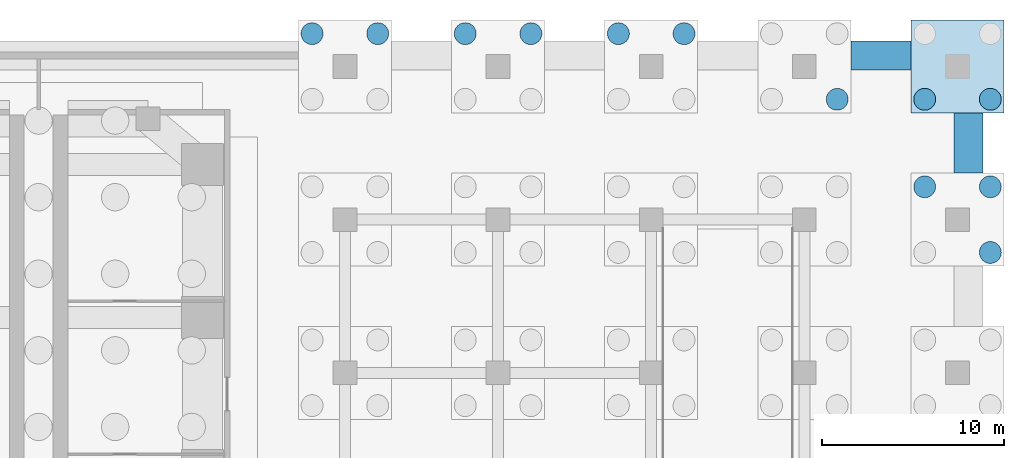
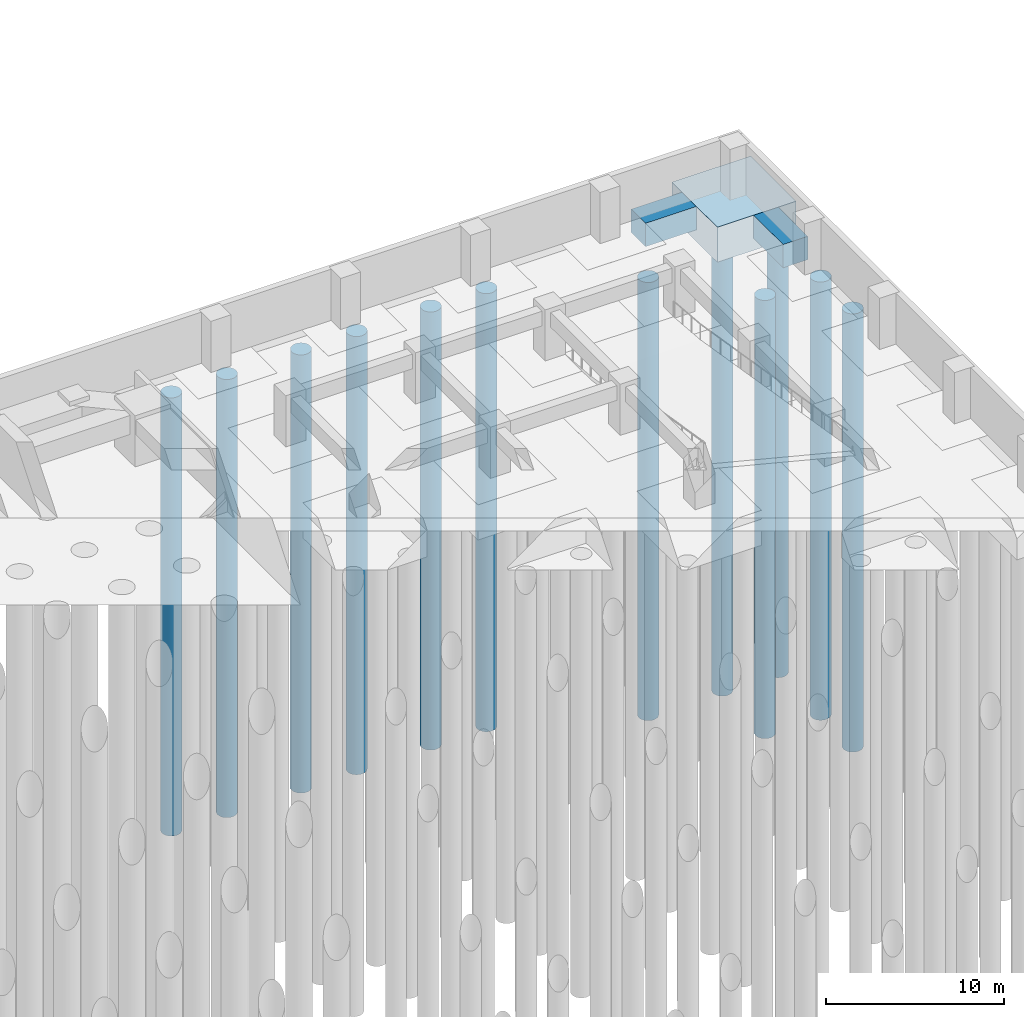
# One storey, part 47 of 73: 12 piles, 3 footings.
"""IFC4 building model written with IfcOpenShell, lengths in metres."""

from ifc_helpers import new_model, si_unit, direction, frame, origin, origin_2d, place, context, subcontext, project, spatial, polyline, circle, outline, extrude, material, material_profile, profile_set, type_object, element, save


model = new_model("IFC4")

# Units and contexts
model_context = context("Model", 3, precision=1e-05, world=origin(), true_north=direction((0.0, 1.0)))
body_context = subcontext(model_context, "Body", "Model", "MODEL_VIEW")
ifc_project = project(units=[si_unit("LENGTHUNIT", "METRE"), si_unit("AREAUNIT", "SQUARE_METRE"), si_unit("VOLUMEUNIT", "CUBIC_METRE"), si_unit("PLANEANGLEUNIT", "RADIAN"), si_unit("MASSUNIT", "GRAM", prefix="KILO")], contexts=[model_context])

# Site, building, storey
site_placement = place(None, origin())
site = spatial("IfcSite", under=ifc_project, at=site_placement, CompositionType="ELEMENT")
building_placement = place(site_placement, origin())
building = spatial("IfcBuilding", under=site, at=building_placement, Name="Impinga Residences", CompositionType="ELEMENT")
storey_placement = place(building_placement, frame((0.0, 0.0, -10.5)))
storey = spatial("IfcBuildingStorey", under=building, at=storey_placement, Name="B3", CompositionType="ELEMENT", Elevation=-10.5)

# Piles
ifc_material_1 = material(Name="Concrete C35/45", Category="concrete")
ifc_material_profile = material_profile(ifc_material_1, circle(Radius=0.60009765625, at=origin_2d()), Name="D1200")
ifc_profile_set = profile_set([ifc_material_profile], Name="Concrete C35/45")
pile_type = type_object("IfcPileType", Name="BP2 bored pile D1200", PredefinedType="BORED", material=ifc_profile_set)
pile_1_placement = place(storey_placement, frame((18.60009765625, 52.199951171875, -2.39990234375), z_axis=(0.0, 0.0, -1.0), x_axis=(1.0, 0.0, 0.0)))
element("IfcPile", 1, at=pile_1_placement, inside=storey, type_object=pile_type, Name="Cap pile BP2 9/M-3", PredefinedType="BORED", context=body_context, shape_type="SweptSolid", body=[
    extrude(outline(polyline([(0.60009765625, 0.0), (0.59716796875, 0.058837890625), (0.58837890625, 0.116943359375), (0.57421875, 0.174072265625), (0.554443359375, 0.2294921875), (0.529052734375, 0.282958984375), (0.498779296875, 0.333251953125), (0.4638671875, 0.380615234375), (0.42431640625, 0.42431640625), (0.380615234375, 0.4638671875), (0.333251953125, 0.498779296875), (0.282958984375, 0.529052734375), (0.2294921875, 0.554443359375), (0.174072265625, 0.57421875), (0.116943359375, 0.58837890625), (0.058837890625, 0.59716796875), (0.0, 0.60009765625), (-0.058837890625, 0.59716796875), (-0.116943359375, 0.58837890625), (-0.174072265625, 0.57421875), (-0.2294921875, 0.554443359375), (-0.282958984375, 0.529052734375), (-0.333251953125, 0.498779296875), (-0.380615234375, 0.4638671875), (-0.42431640625, 0.42431640625), (-0.4638671875, 0.380615234375), (-0.498779296875, 0.333251953125), (-0.529052734375, 0.282958984375), (-0.554443359375, 0.2294921875), (-0.57421875, 0.174072265625), (-0.58837890625, 0.116943359375), (-0.59716796875, 0.058837890625), (-0.60009765625, 0.0), (-0.59716796875, -0.058837890625), (-0.58837890625, -0.116943359375), (-0.57421875, -0.174072265625), (-0.554443359375, -0.2294921875), (-0.529052734375, -0.282958984375), (-0.498779296875, -0.333251953125), (-0.4638671875, -0.380615234375), (-0.42431640625, -0.42431640625), (-0.380615234375, -0.4638671875), (-0.333251953125, -0.498779296875), (-0.282958984375, -0.529052734375), (-0.2294921875, -0.554443359375), (-0.174072265625, -0.57421875), (-0.116943359375, -0.58837890625), (-0.058837890625, -0.59716796875), (0.0, -0.60009765625), (0.058837890625, -0.59716796875), (0.116943359375, -0.58837890625), (0.174072265625, -0.57421875), (0.2294921875, -0.554443359375), (0.282958984375, -0.529052734375), (0.333251953125, -0.498779296875), (0.380615234375, -0.4638671875), (0.42431640625, -0.42431640625), (0.4638671875, -0.380615234375), (0.498779296875, -0.333251953125), (0.529052734375, -0.282958984375), (0.554443359375, -0.2294921875), (0.57421875, -0.174072265625), (0.58837890625, -0.116943359375), (0.59716796875, -0.058837890625), (0.60009765625, 0.0)])), origin(), (0.0, 0.0, 1.0), 30.0),
])
pile_2_placement = place(storey_placement, frame((15.0, 52.199951171875, -2.39990234375), z_axis=(0.0, 0.0, -1.0), x_axis=(1.0, 0.0, 0.0)))
element("IfcPile", 2, at=pile_2_placement, inside=storey, type_object=pile_type, Name="Cap pile BP2 9/M-4", PredefinedType="BORED", context=body_context, shape_type="SweptSolid", body=[
    extrude(outline(polyline([(0.60009765625, 0.0), (0.59716796875, 0.058837890625), (0.58837890625, 0.116943359375), (0.57421875, 0.174072265625), (0.554443359375, 0.2294921875), (0.529052734375, 0.282958984375), (0.498779296875, 0.333251953125), (0.4638671875, 0.380615234375), (0.42431640625, 0.42431640625), (0.380615234375, 0.4638671875), (0.333251953125, 0.498779296875), (0.282958984375, 0.529052734375), (0.2294921875, 0.554443359375), (0.174072265625, 0.57421875), (0.116943359375, 0.58837890625), (0.058837890625, 0.59716796875), (0.0, 0.60009765625), (-0.058837890625, 0.59716796875), (-0.116943359375, 0.58837890625), (-0.174072265625, 0.57421875), (-0.2294921875, 0.554443359375), (-0.282958984375, 0.529052734375), (-0.333251953125, 0.498779296875), (-0.380615234375, 0.4638671875), (-0.42431640625, 0.42431640625), (-0.4638671875, 0.380615234375), (-0.498779296875, 0.333251953125), (-0.529052734375, 0.282958984375), (-0.554443359375, 0.2294921875), (-0.57421875, 0.174072265625), (-0.58837890625, 0.116943359375), (-0.59716796875, 0.058837890625), (-0.60009765625, 0.0), (-0.59716796875, -0.058837890625), (-0.58837890625, -0.116943359375), (-0.57421875, -0.174072265625), (-0.554443359375, -0.2294921875), (-0.529052734375, -0.282958984375), (-0.498779296875, -0.333251953125), (-0.4638671875, -0.380615234375), (-0.42431640625, -0.42431640625), (-0.380615234375, -0.4638671875), (-0.333251953125, -0.498779296875), (-0.282958984375, -0.529052734375), (-0.2294921875, -0.554443359375), (-0.174072265625, -0.57421875), (-0.116943359375, -0.58837890625), (-0.058837890625, -0.59716796875), (0.0, -0.60009765625), (0.058837890625, -0.59716796875), (0.116943359375, -0.58837890625), (0.174072265625, -0.57421875), (0.2294921875, -0.554443359375), (0.282958984375, -0.529052734375), (0.333251953125, -0.498779296875), (0.380615234375, -0.4638671875), (0.42431640625, -0.42431640625), (0.4638671875, -0.380615234375), (0.498779296875, -0.333251953125), (0.529052734375, -0.282958984375), (0.554443359375, -0.2294921875), (0.57421875, -0.174072265625), (0.58837890625, -0.116943359375), (0.59716796875, -0.058837890625), (0.60009765625, 0.0)])), origin(), (0.0, 0.0, 1.0), 30.0),
])
pile_3_placement = place(storey_placement, frame((27.0, 52.199951171875, -2.39990234375), z_axis=(0.0, 0.0, -1.0), x_axis=(1.0, 0.0, 0.0)))
element("IfcPile", 3, at=pile_3_placement, inside=storey, type_object=pile_type, Name="Cap pile BP2 10/M-3", PredefinedType="BORED", context=body_context, shape_type="SweptSolid", body=[
    extrude(outline(polyline([(0.60009765625, 0.0), (0.59716796875, 0.058837890625), (0.58837890625, 0.116943359375), (0.57421875, 0.174072265625), (0.554443359375, 0.2294921875), (0.529052734375, 0.282958984375), (0.498779296875, 0.333251953125), (0.4638671875, 0.380615234375), (0.42431640625, 0.42431640625), (0.380615234375, 0.4638671875), (0.333251953125, 0.498779296875), (0.282958984375, 0.529052734375), (0.2294921875, 0.554443359375), (0.174072265625, 0.57421875), (0.116943359375, 0.58837890625), (0.058837890625, 0.59716796875), (0.0, 0.60009765625), (-0.058837890625, 0.59716796875), (-0.116943359375, 0.58837890625), (-0.174072265625, 0.57421875), (-0.2294921875, 0.554443359375), (-0.282958984375, 0.529052734375), (-0.333251953125, 0.498779296875), (-0.380615234375, 0.4638671875), (-0.42431640625, 0.42431640625), (-0.4638671875, 0.380615234375), (-0.498779296875, 0.333251953125), (-0.529052734375, 0.282958984375), (-0.554443359375, 0.2294921875), (-0.57421875, 0.174072265625), (-0.58837890625, 0.116943359375), (-0.59716796875, 0.058837890625), (-0.60009765625, 0.0), (-0.59716796875, -0.058837890625), (-0.58837890625, -0.116943359375), (-0.57421875, -0.174072265625), (-0.554443359375, -0.2294921875), (-0.529052734375, -0.282958984375), (-0.498779296875, -0.333251953125), (-0.4638671875, -0.380615234375), (-0.42431640625, -0.42431640625), (-0.380615234375, -0.4638671875), (-0.333251953125, -0.498779296875), (-0.282958984375, -0.529052734375), (-0.2294921875, -0.554443359375), (-0.174072265625, -0.57421875), (-0.116943359375, -0.58837890625), (-0.058837890625, -0.59716796875), (0.0, -0.60009765625), (0.058837890625, -0.59716796875), (0.116943359375, -0.58837890625), (0.174072265625, -0.57421875), (0.2294921875, -0.554443359375), (0.282958984375, -0.529052734375), (0.333251953125, -0.498779296875), (0.380615234375, -0.4638671875), (0.42431640625, -0.42431640625), (0.4638671875, -0.380615234375), (0.498779296875, -0.333251953125), (0.529052734375, -0.282958984375), (0.554443359375, -0.2294921875), (0.57421875, -0.174072265625), (0.58837890625, -0.116943359375), (0.59716796875, -0.058837890625), (0.60009765625, 0.0)])), origin(), (0.0, 0.0, 1.0), 30.0),
])
pile_4_placement = place(storey_placement, frame((23.39990234375, 52.199951171875, -2.39990234375), z_axis=(0.0, 0.0, -1.0), x_axis=(1.0, 0.0, 0.0)))
element("IfcPile", 4, at=pile_4_placement, inside=storey, type_object=pile_type, Name="Cap pile BP2 10/M-4", PredefinedType="BORED", context=body_context, shape_type="SweptSolid", body=[
    extrude(outline(polyline([(0.60009765625, 0.0), (0.59716796875, 0.058837890625), (0.58837890625, 0.116943359375), (0.57421875, 0.174072265625), (0.554443359375, 0.2294921875), (0.529052734375, 0.282958984375), (0.498779296875, 0.333251953125), (0.4638671875, 0.380615234375), (0.42431640625, 0.42431640625), (0.380615234375, 0.4638671875), (0.333251953125, 0.498779296875), (0.282958984375, 0.529052734375), (0.2294921875, 0.554443359375), (0.174072265625, 0.57421875), (0.116943359375, 0.58837890625), (0.058837890625, 0.59716796875), (0.0, 0.60009765625), (-0.058837890625, 0.59716796875), (-0.116943359375, 0.58837890625), (-0.174072265625, 0.57421875), (-0.2294921875, 0.554443359375), (-0.282958984375, 0.529052734375), (-0.333251953125, 0.498779296875), (-0.380615234375, 0.4638671875), (-0.42431640625, 0.42431640625), (-0.4638671875, 0.380615234375), (-0.498779296875, 0.333251953125), (-0.529052734375, 0.282958984375), (-0.554443359375, 0.2294921875), (-0.57421875, 0.174072265625), (-0.58837890625, 0.116943359375), (-0.59716796875, 0.058837890625), (-0.60009765625, 0.0), (-0.59716796875, -0.058837890625), (-0.58837890625, -0.116943359375), (-0.57421875, -0.174072265625), (-0.554443359375, -0.2294921875), (-0.529052734375, -0.282958984375), (-0.498779296875, -0.333251953125), (-0.4638671875, -0.380615234375), (-0.42431640625, -0.42431640625), (-0.380615234375, -0.4638671875), (-0.333251953125, -0.498779296875), (-0.282958984375, -0.529052734375), (-0.2294921875, -0.554443359375), (-0.174072265625, -0.57421875), (-0.116943359375, -0.58837890625), (-0.058837890625, -0.59716796875), (0.0, -0.60009765625), (0.058837890625, -0.59716796875), (0.116943359375, -0.58837890625), (0.174072265625, -0.57421875), (0.2294921875, -0.554443359375), (0.282958984375, -0.529052734375), (0.333251953125, -0.498779296875), (0.380615234375, -0.4638671875), (0.42431640625, -0.42431640625), (0.4638671875, -0.380615234375), (0.498779296875, -0.333251953125), (0.529052734375, -0.282958984375), (0.554443359375, -0.2294921875), (0.57421875, -0.174072265625), (0.58837890625, -0.116943359375), (0.59716796875, -0.058837890625), (0.60009765625, 0.0)])), origin(), (0.0, 0.0, 1.0), 30.0),
])
pile_5_placement = place(storey_placement, frame((35.39990234375, 52.199951171875, -2.39990234375), z_axis=(0.0, 0.0, -1.0), x_axis=(1.0, 0.0, 0.0)))
element("IfcPile", 5, at=pile_5_placement, inside=storey, type_object=pile_type, Name="Cap pile BP2 11/M-3", PredefinedType="BORED", context=body_context, shape_type="SweptSolid", body=[
    extrude(outline(polyline([(0.60009765625, 0.0), (0.59716796875, 0.058837890625), (0.58837890625, 0.116943359375), (0.57421875, 0.174072265625), (0.554443359375, 0.2294921875), (0.529052734375, 0.282958984375), (0.498779296875, 0.333251953125), (0.4638671875, 0.380615234375), (0.42431640625, 0.42431640625), (0.380615234375, 0.4638671875), (0.333251953125, 0.498779296875), (0.282958984375, 0.529052734375), (0.2294921875, 0.554443359375), (0.174072265625, 0.57421875), (0.116943359375, 0.58837890625), (0.058837890625, 0.59716796875), (0.0, 0.60009765625), (-0.058837890625, 0.59716796875), (-0.116943359375, 0.58837890625), (-0.174072265625, 0.57421875), (-0.2294921875, 0.554443359375), (-0.282958984375, 0.529052734375), (-0.333251953125, 0.498779296875), (-0.380615234375, 0.4638671875), (-0.42431640625, 0.42431640625), (-0.4638671875, 0.380615234375), (-0.498779296875, 0.333251953125), (-0.529052734375, 0.282958984375), (-0.554443359375, 0.2294921875), (-0.57421875, 0.174072265625), (-0.58837890625, 0.116943359375), (-0.59716796875, 0.058837890625), (-0.60009765625, 0.0), (-0.59716796875, -0.058837890625), (-0.58837890625, -0.116943359375), (-0.57421875, -0.174072265625), (-0.554443359375, -0.2294921875), (-0.529052734375, -0.282958984375), (-0.498779296875, -0.333251953125), (-0.4638671875, -0.380615234375), (-0.42431640625, -0.42431640625), (-0.380615234375, -0.4638671875), (-0.333251953125, -0.498779296875), (-0.282958984375, -0.529052734375), (-0.2294921875, -0.554443359375), (-0.174072265625, -0.57421875), (-0.116943359375, -0.58837890625), (-0.058837890625, -0.59716796875), (0.0, -0.60009765625), (0.058837890625, -0.59716796875), (0.116943359375, -0.58837890625), (0.174072265625, -0.57421875), (0.2294921875, -0.554443359375), (0.282958984375, -0.529052734375), (0.333251953125, -0.498779296875), (0.380615234375, -0.4638671875), (0.42431640625, -0.42431640625), (0.4638671875, -0.380615234375), (0.498779296875, -0.333251953125), (0.529052734375, -0.282958984375), (0.554443359375, -0.2294921875), (0.57421875, -0.174072265625), (0.58837890625, -0.116943359375), (0.59716796875, -0.058837890625), (0.60009765625, 0.0)])), origin(), (0.0, 0.0, 1.0), 30.0),
])
pile_6_placement = place(storey_placement, frame((31.800048828125, 52.199951171875, -2.39990234375), z_axis=(0.0, 0.0, -1.0), x_axis=(1.0, 0.0, 0.0)))
element("IfcPile", 6, at=pile_6_placement, inside=storey, type_object=pile_type, Name="Cap pile BP2 11/M-4", PredefinedType="BORED", context=body_context, shape_type="SweptSolid", body=[
    extrude(outline(polyline([(0.60009765625, 0.0), (0.59716796875, 0.058837890625), (0.58837890625, 0.116943359375), (0.57421875, 0.174072265625), (0.554443359375, 0.2294921875), (0.529052734375, 0.282958984375), (0.498779296875, 0.333251953125), (0.4638671875, 0.380615234375), (0.42431640625, 0.42431640625), (0.380615234375, 0.4638671875), (0.333251953125, 0.498779296875), (0.282958984375, 0.529052734375), (0.2294921875, 0.554443359375), (0.174072265625, 0.57421875), (0.116943359375, 0.58837890625), (0.058837890625, 0.59716796875), (0.0, 0.60009765625), (-0.058837890625, 0.59716796875), (-0.116943359375, 0.58837890625), (-0.174072265625, 0.57421875), (-0.2294921875, 0.554443359375), (-0.282958984375, 0.529052734375), (-0.333251953125, 0.498779296875), (-0.380615234375, 0.4638671875), (-0.42431640625, 0.42431640625), (-0.4638671875, 0.380615234375), (-0.498779296875, 0.333251953125), (-0.529052734375, 0.282958984375), (-0.554443359375, 0.2294921875), (-0.57421875, 0.174072265625), (-0.58837890625, 0.116943359375), (-0.59716796875, 0.058837890625), (-0.60009765625, 0.0), (-0.59716796875, -0.058837890625), (-0.58837890625, -0.116943359375), (-0.57421875, -0.174072265625), (-0.554443359375, -0.2294921875), (-0.529052734375, -0.282958984375), (-0.498779296875, -0.333251953125), (-0.4638671875, -0.380615234375), (-0.42431640625, -0.42431640625), (-0.380615234375, -0.4638671875), (-0.333251953125, -0.498779296875), (-0.282958984375, -0.529052734375), (-0.2294921875, -0.554443359375), (-0.174072265625, -0.57421875), (-0.116943359375, -0.58837890625), (-0.058837890625, -0.59716796875), (0.0, -0.60009765625), (0.058837890625, -0.59716796875), (0.116943359375, -0.58837890625), (0.174072265625, -0.57421875), (0.2294921875, -0.554443359375), (0.282958984375, -0.529052734375), (0.333251953125, -0.498779296875), (0.380615234375, -0.4638671875), (0.42431640625, -0.42431640625), (0.4638671875, -0.380615234375), (0.498779296875, -0.333251953125), (0.529052734375, -0.282958984375), (0.554443359375, -0.2294921875), (0.57421875, -0.174072265625), (0.58837890625, -0.116943359375), (0.59716796875, -0.058837890625), (0.60009765625, 0.0)])), origin(), (0.0, 0.0, 1.0), 30.0),
])
pile_7_placement = place(storey_placement, frame((43.800048828125, 48.60009765625, -2.39990234375), z_axis=(0.0, 0.0, -1.0), x_axis=(1.0, 0.0, 0.0)))
element("IfcPile", 7, at=pile_7_placement, inside=storey, type_object=pile_type, Name="Cap pile BP2 12/M-2", PredefinedType="BORED", context=body_context, shape_type="SweptSolid", body=[
    extrude(outline(polyline([(0.60009765625, 0.0), (0.59716796875, 0.058837890625), (0.58837890625, 0.116943359375), (0.57421875, 0.174072265625), (0.554443359375, 0.2294921875), (0.529052734375, 0.282958984375), (0.498779296875, 0.333251953125), (0.4638671875, 0.380615234375), (0.42431640625, 0.42431640625), (0.380615234375, 0.4638671875), (0.333251953125, 0.498779296875), (0.282958984375, 0.529052734375), (0.2294921875, 0.554443359375), (0.174072265625, 0.57421875), (0.116943359375, 0.58837890625), (0.058837890625, 0.59716796875), (0.0, 0.60009765625), (-0.058837890625, 0.59716796875), (-0.116943359375, 0.58837890625), (-0.174072265625, 0.57421875), (-0.2294921875, 0.554443359375), (-0.282958984375, 0.529052734375), (-0.333251953125, 0.498779296875), (-0.380615234375, 0.4638671875), (-0.42431640625, 0.42431640625), (-0.4638671875, 0.380615234375), (-0.498779296875, 0.333251953125), (-0.529052734375, 0.282958984375), (-0.554443359375, 0.2294921875), (-0.57421875, 0.174072265625), (-0.58837890625, 0.116943359375), (-0.59716796875, 0.058837890625), (-0.60009765625, 0.0), (-0.59716796875, -0.058837890625), (-0.58837890625, -0.116943359375), (-0.57421875, -0.174072265625), (-0.554443359375, -0.2294921875), (-0.529052734375, -0.282958984375), (-0.498779296875, -0.333251953125), (-0.4638671875, -0.380615234375), (-0.42431640625, -0.42431640625), (-0.380615234375, -0.4638671875), (-0.333251953125, -0.498779296875), (-0.282958984375, -0.529052734375), (-0.2294921875, -0.554443359375), (-0.174072265625, -0.57421875), (-0.116943359375, -0.58837890625), (-0.058837890625, -0.59716796875), (0.0, -0.60009765625), (0.058837890625, -0.59716796875), (0.116943359375, -0.58837890625), (0.174072265625, -0.57421875), (0.2294921875, -0.554443359375), (0.282958984375, -0.529052734375), (0.333251953125, -0.498779296875), (0.380615234375, -0.4638671875), (0.42431640625, -0.42431640625), (0.4638671875, -0.380615234375), (0.498779296875, -0.333251953125), (0.529052734375, -0.282958984375), (0.554443359375, -0.2294921875), (0.57421875, -0.174072265625), (0.58837890625, -0.116943359375), (0.59716796875, -0.058837890625), (0.60009765625, 0.0)])), origin(), (0.0, 0.0, 1.0), 30.0),
])
pile_8_placement = place(storey_placement, frame((52.199951171875, 40.199951171875, -2.39990234375), z_axis=(0.0, 0.0, -1.0), x_axis=(1.0, 0.0, 0.0)))
element("IfcPile", 8, at=pile_8_placement, inside=storey, type_object=pile_type, Name="Cap pile BP2 13/L-2", PredefinedType="BORED", context=body_context, shape_type="SweptSolid", body=[
    extrude(outline(polyline([(0.60009765625, 0.0), (0.59716796875, 0.058837890625), (0.58837890625, 0.116943359375), (0.57421875, 0.174072265625), (0.554443359375, 0.2294921875), (0.529052734375, 0.282958984375), (0.498779296875, 0.333251953125), (0.4638671875, 0.380615234375), (0.42431640625, 0.42431640625), (0.380615234375, 0.4638671875), (0.333251953125, 0.498779296875), (0.282958984375, 0.529052734375), (0.2294921875, 0.554443359375), (0.174072265625, 0.57421875), (0.116943359375, 0.58837890625), (0.058837890625, 0.59716796875), (0.0, 0.60009765625), (-0.058837890625, 0.59716796875), (-0.116943359375, 0.58837890625), (-0.174072265625, 0.57421875), (-0.2294921875, 0.554443359375), (-0.282958984375, 0.529052734375), (-0.333251953125, 0.498779296875), (-0.380615234375, 0.4638671875), (-0.42431640625, 0.42431640625), (-0.4638671875, 0.380615234375), (-0.498779296875, 0.333251953125), (-0.529052734375, 0.282958984375), (-0.554443359375, 0.2294921875), (-0.57421875, 0.174072265625), (-0.58837890625, 0.116943359375), (-0.59716796875, 0.058837890625), (-0.60009765625, 0.0), (-0.59716796875, -0.058837890625), (-0.58837890625, -0.116943359375), (-0.57421875, -0.174072265625), (-0.554443359375, -0.2294921875), (-0.529052734375, -0.282958984375), (-0.498779296875, -0.333251953125), (-0.4638671875, -0.380615234375), (-0.42431640625, -0.42431640625), (-0.380615234375, -0.4638671875), (-0.333251953125, -0.498779296875), (-0.282958984375, -0.529052734375), (-0.2294921875, -0.554443359375), (-0.174072265625, -0.57421875), (-0.116943359375, -0.58837890625), (-0.058837890625, -0.59716796875), (0.0, -0.60009765625), (0.058837890625, -0.59716796875), (0.116943359375, -0.58837890625), (0.174072265625, -0.57421875), (0.2294921875, -0.554443359375), (0.282958984375, -0.529052734375), (0.333251953125, -0.498779296875), (0.380615234375, -0.4638671875), (0.42431640625, -0.42431640625), (0.4638671875, -0.380615234375), (0.498779296875, -0.333251953125), (0.529052734375, -0.282958984375), (0.554443359375, -0.2294921875), (0.57421875, -0.174072265625), (0.58837890625, -0.116943359375), (0.59716796875, -0.058837890625), (0.60009765625, 0.0)])), origin(), (0.0, 0.0, 1.0), 30.0),
])
pile_9_placement = place(storey_placement, frame((52.199951171875, 43.800048828125, -2.39990234375), z_axis=(0.0, 0.0, -1.0), x_axis=(1.0, 0.0, 0.0)))
element("IfcPile", 9, at=pile_9_placement, inside=storey, type_object=pile_type, Name="Cap pile BP2 13/L-3", PredefinedType="BORED", context=body_context, shape_type="SweptSolid", body=[
    extrude(outline(polyline([(0.60009765625, 0.0), (0.59716796875, 0.058837890625), (0.58837890625, 0.116943359375), (0.57421875, 0.174072265625), (0.554443359375, 0.2294921875), (0.529052734375, 0.282958984375), (0.498779296875, 0.333251953125), (0.4638671875, 0.380615234375), (0.42431640625, 0.42431640625), (0.380615234375, 0.4638671875), (0.333251953125, 0.498779296875), (0.282958984375, 0.529052734375), (0.2294921875, 0.554443359375), (0.174072265625, 0.57421875), (0.116943359375, 0.58837890625), (0.058837890625, 0.59716796875), (0.0, 0.60009765625), (-0.058837890625, 0.59716796875), (-0.116943359375, 0.58837890625), (-0.174072265625, 0.57421875), (-0.2294921875, 0.554443359375), (-0.282958984375, 0.529052734375), (-0.333251953125, 0.498779296875), (-0.380615234375, 0.4638671875), (-0.42431640625, 0.42431640625), (-0.4638671875, 0.380615234375), (-0.498779296875, 0.333251953125), (-0.529052734375, 0.282958984375), (-0.554443359375, 0.2294921875), (-0.57421875, 0.174072265625), (-0.58837890625, 0.116943359375), (-0.59716796875, 0.058837890625), (-0.60009765625, 0.0), (-0.59716796875, -0.058837890625), (-0.58837890625, -0.116943359375), (-0.57421875, -0.174072265625), (-0.554443359375, -0.2294921875), (-0.529052734375, -0.282958984375), (-0.498779296875, -0.333251953125), (-0.4638671875, -0.380615234375), (-0.42431640625, -0.42431640625), (-0.380615234375, -0.4638671875), (-0.333251953125, -0.498779296875), (-0.282958984375, -0.529052734375), (-0.2294921875, -0.554443359375), (-0.174072265625, -0.57421875), (-0.116943359375, -0.58837890625), (-0.058837890625, -0.59716796875), (0.0, -0.60009765625), (0.058837890625, -0.59716796875), (0.116943359375, -0.58837890625), (0.174072265625, -0.57421875), (0.2294921875, -0.554443359375), (0.282958984375, -0.529052734375), (0.333251953125, -0.498779296875), (0.380615234375, -0.4638671875), (0.42431640625, -0.42431640625), (0.4638671875, -0.380615234375), (0.498779296875, -0.333251953125), (0.529052734375, -0.282958984375), (0.554443359375, -0.2294921875), (0.57421875, -0.174072265625), (0.58837890625, -0.116943359375), (0.59716796875, -0.058837890625), (0.60009765625, 0.0)])), origin(), (0.0, 0.0, 1.0), 30.0),
])
pile_10_placement = place(storey_placement, frame((48.60009765625, 43.800048828125, -2.39990234375), z_axis=(0.0, 0.0, -1.0), x_axis=(1.0, 0.0, 0.0)))
element("IfcPile", 10, at=pile_10_placement, inside=storey, type_object=pile_type, Name="Cap pile BP2 13/L-4", PredefinedType="BORED", context=body_context, shape_type="SweptSolid", body=[
    extrude(outline(polyline([(0.60009765625, 0.0), (0.59716796875, 0.058837890625), (0.58837890625, 0.116943359375), (0.57421875, 0.174072265625), (0.554443359375, 0.2294921875), (0.529052734375, 0.282958984375), (0.498779296875, 0.333251953125), (0.4638671875, 0.380615234375), (0.42431640625, 0.42431640625), (0.380615234375, 0.4638671875), (0.333251953125, 0.498779296875), (0.282958984375, 0.529052734375), (0.2294921875, 0.554443359375), (0.174072265625, 0.57421875), (0.116943359375, 0.58837890625), (0.058837890625, 0.59716796875), (0.0, 0.60009765625), (-0.058837890625, 0.59716796875), (-0.116943359375, 0.58837890625), (-0.174072265625, 0.57421875), (-0.2294921875, 0.554443359375), (-0.282958984375, 0.529052734375), (-0.333251953125, 0.498779296875), (-0.380615234375, 0.4638671875), (-0.42431640625, 0.42431640625), (-0.4638671875, 0.380615234375), (-0.498779296875, 0.333251953125), (-0.529052734375, 0.282958984375), (-0.554443359375, 0.2294921875), (-0.57421875, 0.174072265625), (-0.58837890625, 0.116943359375), (-0.59716796875, 0.058837890625), (-0.60009765625, 0.0), (-0.59716796875, -0.058837890625), (-0.58837890625, -0.116943359375), (-0.57421875, -0.174072265625), (-0.554443359375, -0.2294921875), (-0.529052734375, -0.282958984375), (-0.498779296875, -0.333251953125), (-0.4638671875, -0.380615234375), (-0.42431640625, -0.42431640625), (-0.380615234375, -0.4638671875), (-0.333251953125, -0.498779296875), (-0.282958984375, -0.529052734375), (-0.2294921875, -0.554443359375), (-0.174072265625, -0.57421875), (-0.116943359375, -0.58837890625), (-0.058837890625, -0.59716796875), (0.0, -0.60009765625), (0.058837890625, -0.59716796875), (0.116943359375, -0.58837890625), (0.174072265625, -0.57421875), (0.2294921875, -0.554443359375), (0.282958984375, -0.529052734375), (0.333251953125, -0.498779296875), (0.380615234375, -0.4638671875), (0.42431640625, -0.42431640625), (0.4638671875, -0.380615234375), (0.498779296875, -0.333251953125), (0.529052734375, -0.282958984375), (0.554443359375, -0.2294921875), (0.57421875, -0.174072265625), (0.58837890625, -0.116943359375), (0.59716796875, -0.058837890625), (0.60009765625, 0.0)])), origin(), (0.0, 0.0, 1.0), 30.0),
])
pile_11_placement = place(storey_placement, frame((48.60009765625, 48.60009765625, -2.39990234375), z_axis=(0.0, 0.0, -1.0), x_axis=(1.0, 0.0, 0.0)))
element("IfcPile", 11, at=pile_11_placement, inside=storey, type_object=pile_type, Name="Cap pile BP2 13/M-1", PredefinedType="BORED", context=body_context, shape_type="SweptSolid", body=[
    extrude(outline(polyline([(0.60009765625, 0.0), (0.59716796875, 0.058837890625), (0.58837890625, 0.116943359375), (0.57421875, 0.174072265625), (0.554443359375, 0.2294921875), (0.529052734375, 0.282958984375), (0.498779296875, 0.333251953125), (0.4638671875, 0.380615234375), (0.42431640625, 0.42431640625), (0.380615234375, 0.4638671875), (0.333251953125, 0.498779296875), (0.282958984375, 0.529052734375), (0.2294921875, 0.554443359375), (0.174072265625, 0.57421875), (0.116943359375, 0.58837890625), (0.058837890625, 0.59716796875), (0.0, 0.60009765625), (-0.058837890625, 0.59716796875), (-0.116943359375, 0.58837890625), (-0.174072265625, 0.57421875), (-0.2294921875, 0.554443359375), (-0.282958984375, 0.529052734375), (-0.333251953125, 0.498779296875), (-0.380615234375, 0.4638671875), (-0.42431640625, 0.42431640625), (-0.4638671875, 0.380615234375), (-0.498779296875, 0.333251953125), (-0.529052734375, 0.282958984375), (-0.554443359375, 0.2294921875), (-0.57421875, 0.174072265625), (-0.58837890625, 0.116943359375), (-0.59716796875, 0.058837890625), (-0.60009765625, 0.0), (-0.59716796875, -0.058837890625), (-0.58837890625, -0.116943359375), (-0.57421875, -0.174072265625), (-0.554443359375, -0.2294921875), (-0.529052734375, -0.282958984375), (-0.498779296875, -0.333251953125), (-0.4638671875, -0.380615234375), (-0.42431640625, -0.42431640625), (-0.380615234375, -0.4638671875), (-0.333251953125, -0.498779296875), (-0.282958984375, -0.529052734375), (-0.2294921875, -0.554443359375), (-0.174072265625, -0.57421875), (-0.116943359375, -0.58837890625), (-0.058837890625, -0.59716796875), (0.0, -0.60009765625), (0.058837890625, -0.59716796875), (0.116943359375, -0.58837890625), (0.174072265625, -0.57421875), (0.2294921875, -0.554443359375), (0.282958984375, -0.529052734375), (0.333251953125, -0.498779296875), (0.380615234375, -0.4638671875), (0.42431640625, -0.42431640625), (0.4638671875, -0.380615234375), (0.498779296875, -0.333251953125), (0.529052734375, -0.282958984375), (0.554443359375, -0.2294921875), (0.57421875, -0.174072265625), (0.58837890625, -0.116943359375), (0.59716796875, -0.058837890625), (0.60009765625, 0.0)])), origin(), (0.0, 0.0, 1.0), 30.0),
])
pile_12_placement = place(storey_placement, frame((52.199951171875, 48.60009765625, -2.39990234375), z_axis=(0.0, 0.0, -1.0), x_axis=(1.0, 0.0, 0.0)))
element("IfcPile", 12, at=pile_12_placement, inside=storey, type_object=pile_type, Name="Cap pile BP2 13/M-2", PredefinedType="BORED", context=body_context, shape_type="SweptSolid", body=[
    extrude(outline(polyline([(0.60009765625, 0.0), (0.59716796875, 0.058837890625), (0.58837890625, 0.116943359375), (0.57421875, 0.174072265625), (0.554443359375, 0.2294921875), (0.529052734375, 0.282958984375), (0.498779296875, 0.333251953125), (0.4638671875, 0.380615234375), (0.42431640625, 0.42431640625), (0.380615234375, 0.4638671875), (0.333251953125, 0.498779296875), (0.282958984375, 0.529052734375), (0.2294921875, 0.554443359375), (0.174072265625, 0.57421875), (0.116943359375, 0.58837890625), (0.058837890625, 0.59716796875), (0.0, 0.60009765625), (-0.058837890625, 0.59716796875), (-0.116943359375, 0.58837890625), (-0.174072265625, 0.57421875), (-0.2294921875, 0.554443359375), (-0.282958984375, 0.529052734375), (-0.333251953125, 0.498779296875), (-0.380615234375, 0.4638671875), (-0.42431640625, 0.42431640625), (-0.4638671875, 0.380615234375), (-0.498779296875, 0.333251953125), (-0.529052734375, 0.282958984375), (-0.554443359375, 0.2294921875), (-0.57421875, 0.174072265625), (-0.58837890625, 0.116943359375), (-0.59716796875, 0.058837890625), (-0.60009765625, 0.0), (-0.59716796875, -0.058837890625), (-0.58837890625, -0.116943359375), (-0.57421875, -0.174072265625), (-0.554443359375, -0.2294921875), (-0.529052734375, -0.282958984375), (-0.498779296875, -0.333251953125), (-0.4638671875, -0.380615234375), (-0.42431640625, -0.42431640625), (-0.380615234375, -0.4638671875), (-0.333251953125, -0.498779296875), (-0.282958984375, -0.529052734375), (-0.2294921875, -0.554443359375), (-0.174072265625, -0.57421875), (-0.116943359375, -0.58837890625), (-0.058837890625, -0.59716796875), (0.0, -0.60009765625), (0.058837890625, -0.59716796875), (0.116943359375, -0.58837890625), (0.174072265625, -0.57421875), (0.2294921875, -0.554443359375), (0.282958984375, -0.529052734375), (0.333251953125, -0.498779296875), (0.380615234375, -0.4638671875), (0.42431640625, -0.42431640625), (0.4638671875, -0.380615234375), (0.498779296875, -0.333251953125), (0.529052734375, -0.282958984375), (0.554443359375, -0.2294921875), (0.57421875, -0.174072265625), (0.58837890625, -0.116943359375), (0.59716796875, -0.058837890625), (0.60009765625, 0.0)])), origin(), (0.0, 0.0, 1.0), 30.0),
])

# Footings
ifc_material_2 = material(Name="Concrete C45/55", Category="concrete")
footing_type_1 = type_object("IfcFootingType", Name="PC4 four-pile cap 5100 square 2400 deep", PredefinedType="PILE_CAP", material=ifc_material_2)
footing_1_placement = place(storey_placement, frame((0.0, 0.0, -2.39990234375)))
element("IfcFooting", 13, at=footing_1_placement, inside=storey, type_object=footing_type_1, Name="Pile cap PC4 13/M", PredefinedType="PILE_CAP", context=body_context, shape_type="SweptSolid", body=[
    extrude(outline(polyline([(52.949951171875, 47.85009765625), (52.949951171875, 52.949951171875), (47.85009765625, 52.949951171875), (47.85009765625, 47.85009765625), (52.949951171875, 47.85009765625)])), origin(), (0.0, 0.0, 1.0), 2.39990234375),
])
footing_type_2 = type_object("IfcFootingType", Name="SF1 strip footing 1600 wide 1600 deep", PredefinedType="STRIP_FOOTING", material=ifc_material_2)
footing_2_placement = place(storey_placement, frame((0.0, 0.0, -1.60009765625)))
element("IfcFooting", 14, at=footing_2_placement, inside=storey, type_object=footing_type_2, Name="Strip footing SF1 N 1", PredefinedType="STRIP_FOOTING", context=body_context, shape_type="SweptSolid", body=[
    extrude(outline(polyline([(44.550048828125, 50.199951171875), (44.550048828125, 51.800048828125), (47.85009765625, 51.800048828125), (47.85009765625, 50.199951171875), (44.550048828125, 50.199951171875)])), origin(), (0.0, 0.0, 1.0), 1.60009765625),
])
footing_3_placement = place(storey_placement, frame((0.0, 0.0, -1.60009765625)))
element("IfcFooting", 15, at=footing_3_placement, inside=storey, type_object=footing_type_2, Name="Strip footing SF1 E 1", PredefinedType="STRIP_FOOTING", context=body_context, shape_type="SweptSolid", body=[
    extrude(outline(polyline([(51.800048828125, 44.550048828125), (50.199951171875, 44.550048828125), (50.199951171875, 47.85009765625), (51.800048828125, 47.85009765625), (51.800048828125, 44.550048828125)])), origin(), (0.0, 0.0, 1.0), 1.60009765625),
])

save(model, "model.ifc")
